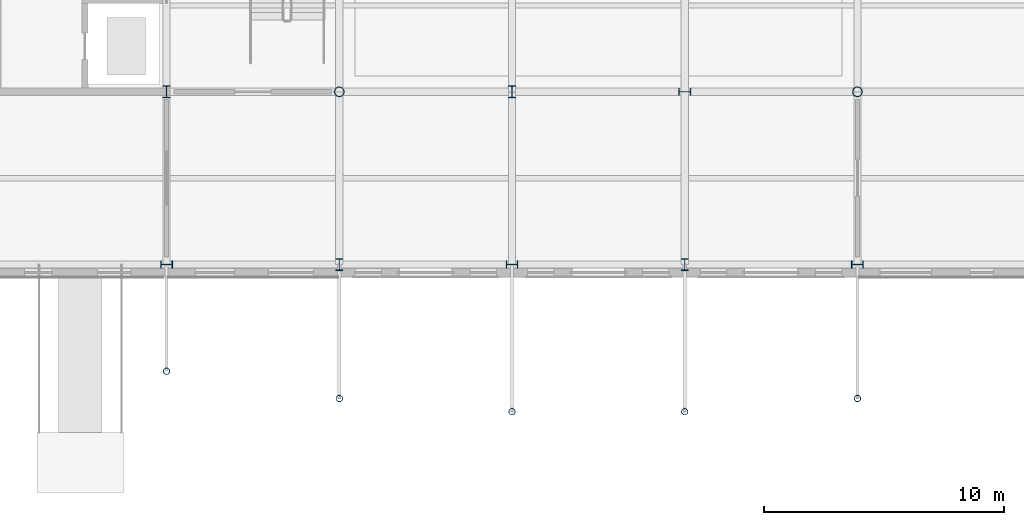
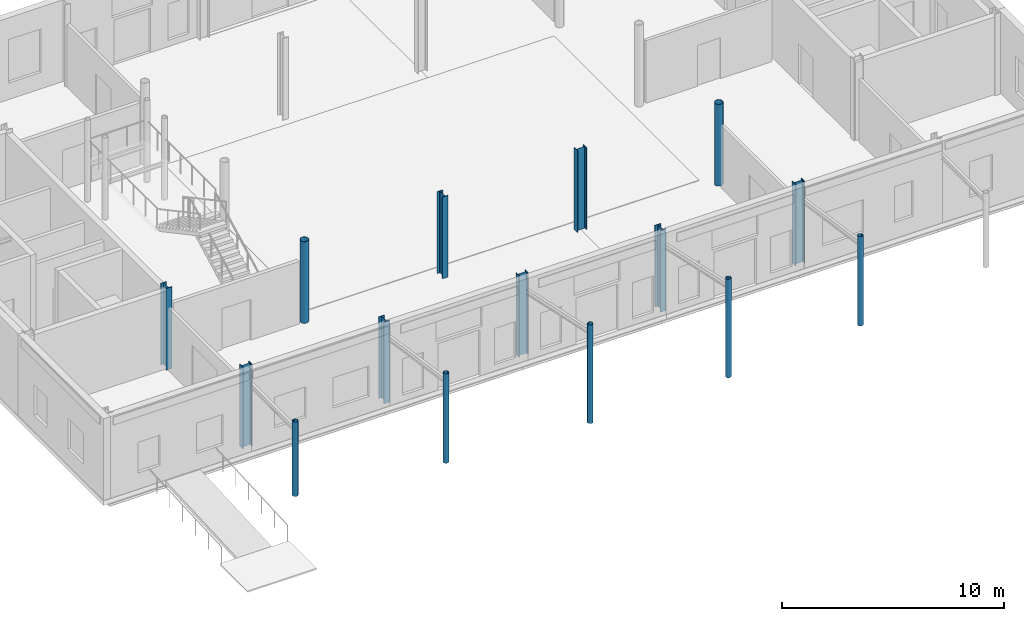
# One storey, part 5 of 92: 15 columns.
"""IFC4 building model written with IfcOpenShell, lengths in metres."""

from ifc_helpers import new_model, si_unit, direction, frame, origin, origin_2d, place, context, subcontext, project, spatial, hollow_circle, i_section, extrude, material, material_profile, profile_set, type_object, element, save


model = new_model("IFC4")

# Units and contexts
model_context = context("Model", 3, precision=1e-05, world=origin(), true_north=direction((0.0, 1.0)))
body_context = subcontext(model_context, "Body", "Model", "MODEL_VIEW")
ifc_project = project(units=[si_unit("LENGTHUNIT", "METRE"), si_unit("AREAUNIT", "SQUARE_METRE"), si_unit("VOLUMEUNIT", "CUBIC_METRE"), si_unit("PLANEANGLEUNIT", "RADIAN"), si_unit("MASSUNIT", "GRAM", prefix="KILO")], contexts=[model_context])

# Site, building, storey
site_placement = place(None, origin())
site = spatial("IfcSite", under=ifc_project, at=site_placement, CompositionType="ELEMENT")
building_placement = place(site_placement, origin())
building = spatial("IfcBuilding", under=site, at=building_placement, Name="Zlatovets Crest Museum", CompositionType="ELEMENT")
storey_placement = place(building_placement, origin())
storey = spatial("IfcBuildingStorey", under=building, at=storey_placement, Name="L00", CompositionType="ELEMENT", Elevation=0.0)

# Columns
ifc_material = material(Name="Structural steel S355J2", Category="steel")
ifc_material_profile_1 = material_profile(ifc_material, i_section(OverallWidth=0.300048828125, OverallDepth=0.5, WebThickness=0.014404296875, FlangeThickness=0.028076171875, FilletRadius=0.027099609375, at=origin_2d()), Name="HEB 500")
ifc_profile_set_1 = profile_set([ifc_material_profile_1], Name="Structural steel S355J2")
column_type_1 = type_object("IfcColumnType", Name="Col_C-05", PredefinedType="COLUMN", material=ifc_profile_set_1)
for number, where, z_axis, x_axis, name in (
    (1, (64.800048828125, 0.0, 0.0), (0.0, 0.0, 1.0), (0.0, 1.0, 0.0), "V2 L00 Column (64.8, 0.0)"),
    (2, (64.800048828125, 7.199951171875, 0.0), (0.0, 0.0, 1.0), (1.0, 0.0, 0.0), "V2 L00 Column (64.8, 7.2)"),
    (3, (72.0, 0.0, 0.0), (0.0, 0.0, 1.0), (1.0, 0.0, 0.0), "V2 L00 Column (72.0, 0.0)"),
    (4, (79.199951171875, 0.0, 0.0), (0.0, 0.0, 1.0), (0.0, 1.0, 0.0), "V2 L00 Column (79.2, 0.0)"),
    (5, (79.199951171875, 7.199951171875, 0.0), (0.0, 0.0, 1.0), (1.0, 0.0, 0.0), "V2 L00 Column (79.2, 7.2)"),
    (6, (86.39990234375, 0.0, 0.0), (0.0, 0.0, 1.0), (1.0, 0.0, 0.0), "V2 L00 Column (86.4, 0.0)"),
    (7, (86.39990234375, 7.199951171875, 0.0), (0.0, 0.0, 1.0), (0.0, 1.0, 0.0), "V2 L00 Column (86.4, 7.2)"),
    (8, (93.60009765625, 0.0, 0.0), (0.0, 0.0, 1.0), (0.0, 1.0, 0.0), "V2 L00 Column (93.6, 0.0)"),
):
    element("IfcColumn", number, at=place(storey_placement, frame(where, z_axis=z_axis, x_axis=x_axis)), inside=storey, type_object=column_type_1, Name=name, PredefinedType="COLUMN", context=body_context, shape_type="SweptSolid", body=[
        extrude(i_section(OverallWidth=0.300048828125, OverallDepth=0.5, WebThickness=0.014404296875, FlangeThickness=0.028076171875, FilletRadius=0.027099609375, at=origin_2d()), origin(), (0.0, 0.0, 1.0), 4.5),
    ])
ifc_material_profile_2 = material_profile(ifc_material, hollow_circle(Radius=0.203125, WallThickness=0.01611328125, at=origin_2d()), Name="CHS 406.4x16.0")
ifc_profile_set_2 = profile_set([ifc_material_profile_2], Name="Structural steel S355J2")
column_type_2 = type_object("IfcColumnType", Name="Col_C-12", PredefinedType="COLUMN", material=ifc_profile_set_2)
for number, where, z_axis, x_axis, name in (
    (9, (72.0, 7.199951171875, 0.0), (0.0, 0.0, 1.0), (0.0, 1.0, 0.0), "V2 L00 Column (72.0, 7.2)"),
    (10, (93.60009765625, 7.199951171875, 0.0), (0.0, 0.0, 1.0), (1.0, 0.0, 0.0), "V2 L00 Column (93.6, 7.2)"),
):
    element("IfcColumn", number, at=place(storey_placement, frame(where, z_axis=z_axis, x_axis=x_axis)), inside=storey, type_object=column_type_2, Name=name, PredefinedType="COLUMN", context=body_context, shape_type="SweptSolid", body=[
        extrude(hollow_circle(Radius=0.203125, WallThickness=0.01611328125, at=origin_2d()), origin(), (0.0, 0.0, 1.0), 4.5),
    ])
ifc_material_profile_3 = material_profile(ifc_material, hollow_circle(Radius=0.136474609375, WallThickness=0.012451171875, at=origin_2d()), Name="CHS 273.0x12.5")
ifc_profile_set_3 = profile_set([ifc_material_profile_3], Name="Structural steel S355J2")
column_type_3 = type_object("IfcColumnType", Name="Col_C-14", PredefinedType="COLUMN", material=ifc_profile_set_3)
column_1_placement = place(storey_placement, frame((64.800048828125, -4.448486328125, 0.0), z_axis=(0.0, 0.0, 1.0), x_axis=(1.0, 0.0, 0.0)))
element("IfcColumn", 11, at=column_1_placement, inside=storey, type_object=column_type_3, Name="Art Nouveau Entrance Marquee Bronze Column", PredefinedType="COLUMN", context=body_context, shape_type="SweptSolid", body=[
    extrude(hollow_circle(Radius=0.136474609375, WallThickness=0.012451171875, at=origin_2d()), origin(), (0.0, 0.0, 1.0), 4.10009765625),
])
column_2_placement = place(storey_placement, frame((72.0, -5.584716796875, 0.0), z_axis=(0.0, 0.0, 1.0), x_axis=(1.0, 0.0, 0.0)))
element("IfcColumn", 12, at=column_2_placement, inside=storey, type_object=column_type_3, Name="Art Nouveau Entrance Marquee Bronze Column", PredefinedType="COLUMN", context=body_context, shape_type="SweptSolid", body=[
    extrude(hollow_circle(Radius=0.136474609375, WallThickness=0.012451171875, at=origin_2d()), origin(), (0.0, 0.0, 1.0), 4.9228515625),
])
for number, where, z_axis, x_axis, name in (
    (13, (79.199951171875, -6.13232421875, 0.0), (0.0, 0.0, 1.0), (1.0, 0.0, 0.0), "Art Nouveau Entrance Marquee Bronze Column"),
    (14, (86.39990234375, -6.13232421875, 0.0), (0.0, 0.0, 1.0), (1.0, 0.0, 0.0), "Art Nouveau Entrance Marquee Bronze Column"),
):
    element("IfcColumn", number, at=place(storey_placement, frame(where, z_axis=z_axis, x_axis=x_axis)), inside=storey, type_object=column_type_3, Name=name, PredefinedType="COLUMN", context=body_context, shape_type="SweptSolid", body=[
        extrude(hollow_circle(Radius=0.136474609375, WallThickness=0.012451171875, at=origin_2d()), origin(), (0.0, 0.0, 1.0), 5.431396484375),
    ])
column_3_placement = place(storey_placement, frame((93.60009765625, -5.584716796875, 0.0), z_axis=(0.0, 0.0, 1.0), x_axis=(1.0, 0.0, 0.0)))
element("IfcColumn", 15, at=column_3_placement, inside=storey, type_object=column_type_3, Name="Art Nouveau Entrance Marquee Bronze Column", PredefinedType="COLUMN", context=body_context, shape_type="SweptSolid", body=[
    extrude(hollow_circle(Radius=0.136474609375, WallThickness=0.012451171875, at=origin_2d()), origin(), (0.0, 0.0, 1.0), 4.9228515625),
])

save(model, "model.ifc")
